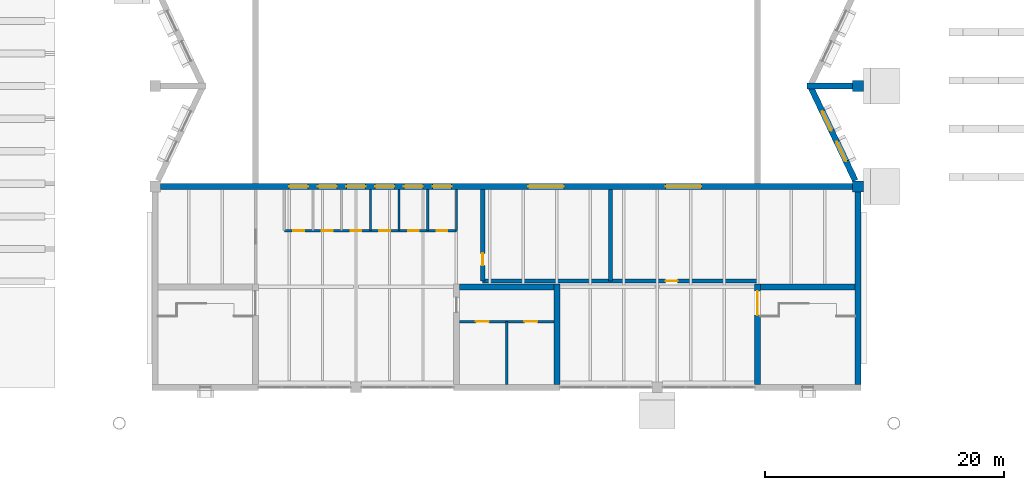
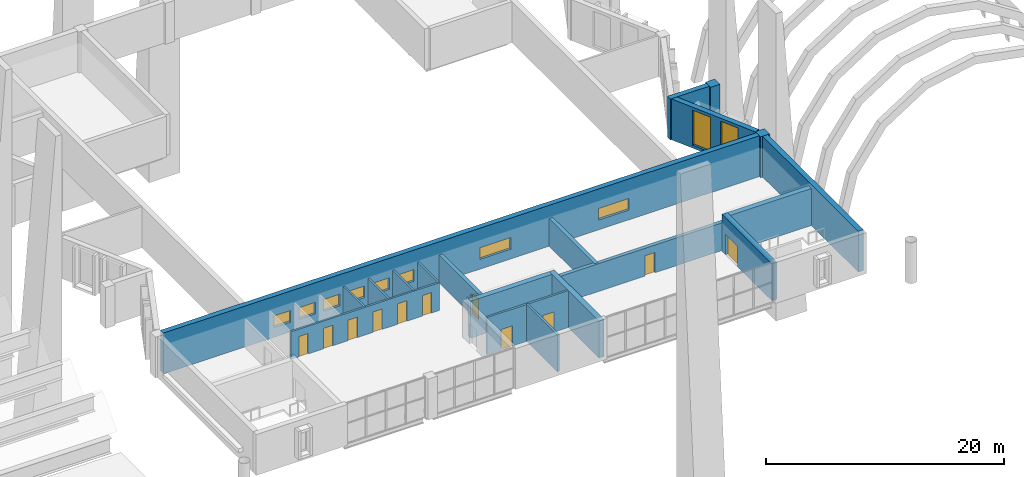
# One storey, part 63 of 88: 20 walls, 11 doors, 10 windows, 21 openings.
"""IFC4 building model written with IfcOpenShell, lengths in metres."""

from ifc_helpers import new_model, si_unit, direction, frame, frame_2d, origin, place, context, subcontext, project, spatial, rectangle, extrude, material, layer, layer_set, type_object, element, fill, save


model = new_model("IFC4")

# Units and contexts
model_context = context("Model", 3, precision=1e-05, world=origin(), true_north=direction((0.0, 1.0)))
body_context = subcontext(model_context, "Body", "Model", "MODEL_VIEW")
ifc_project = project(units=[si_unit("LENGTHUNIT", "METRE"), si_unit("AREAUNIT", "SQUARE_METRE"), si_unit("VOLUMEUNIT", "CUBIC_METRE"), si_unit("PLANEANGLEUNIT", "RADIAN"), si_unit("MASSUNIT", "GRAM", prefix="KILO")], contexts=[model_context])

# Site, building, storey
site_placement = place(None, origin())
site = spatial("IfcSite", under=ifc_project, at=site_placement, CompositionType="ELEMENT")
building_placement = place(site_placement, origin())
building = spatial("IfcBuilding", under=site, at=building_placement, Name="Cresset Court Congress Hotel", CompositionType="ELEMENT")
storey_placement = place(building_placement, frame((0.0, 0.0, 14.39990234375)))
storey = spatial("IfcBuildingStorey", under=building, at=storey_placement, Name="L03", CompositionType="ELEMENT", Elevation=14.39990234375)

# Wall, opening, door
ifc_material_1 = material(Name="Acoustic double-leaf plasterboard on steel studs", Category="steel")
ifc_layer_1 = layer(ifc_material_1, 0.35009765625)
ifc_layer_set_1 = layer_set([ifc_layer_1], Name="Hall acoustic wall 350")
wall_type_1 = type_object("IfcWallType", Name="Hall acoustic wall 350", PredefinedType="PARTITIONING", material=ifc_layer_set_1)
wall_1_placement = place(storey_placement, frame((86.199951171875, 67.699951171875, 0.0), z_axis=(0.0, 0.0, 1.0), x_axis=(0.0, 1.0, 0.0)))
wall_1 = element("IfcWall", 1, at=wall_1_placement, inside=storey, type_object=wall_type_1, Name="Wall CP-ctl.W", PredefinedType="PARTITIONING", context=body_context, shape_type="SweptSolid", body=[
    extrude(rectangle(XDim=7.650146484375, YDim=0.35009765625, at=frame_2d((3.8251953125, 0.0))), origin(), (0.0, 0.0, 1.0), 2.85009765625),
])
opening_1_placement = place(wall_1_placement, frame((1.300048828125, 0.0, 0.0)))
opening_1 = element("IfcOpeningElement", 2, at=opening_1_placement, cuts=wall_1, Name="Opening DC-03-17", PredefinedType="OPENING", context=body_context, shape_type="SweptSolid", body=[
    extrude(rectangle(XDim=1.0, YDim=2.10009765625, at=frame_2d((0.5, 1.050048828125))), frame((0.0, 0.18505859375, 0.0), z_axis=(0.0, -1.0, 0.0), x_axis=(1.0, 0.0, 0.0)), (0.0, 0.0, 1.0), 0.3701171875),
])
ifc_material_2 = material(Name="Timber", Category="wood")
door_type_1 = type_object("IfcDoorType", Name="Single swing door 1000x2100", OperationType="SINGLE_SWING_LEFT", PredefinedType="DOOR", material=ifc_material_2)
door_1_placement = place(opening_1_placement, origin())
door_1 = element("IfcDoor", 3, at=door_1_placement, inside=storey, type_object=door_type_1, Name="Control room door L03", OperationType="SINGLE_SWING_LEFT", OverallHeight=2.10009765625, OverallWidth=1.0, PredefinedType="DOOR", context=body_context, shape_type="SweptSolid", body=[
    extrude(rectangle(XDim=1.0, YDim=2.10009765625, at=frame_2d((0.5, 1.050048828125))), frame((0.0, 0.02490234375, 0.0), z_axis=(0.0, -1.0, 0.0), x_axis=(1.0, 0.0, 0.0)), (0.0, 0.0, 1.0), 0.050048828125),
])
fill(opening_1, door_1)

# Wall
wall_2_placement = place(storey_placement, frame((96.89990234375, 67.699951171875, 0.0), z_axis=(0.0, 0.0, 1.0), x_axis=(0.0, 1.0, 0.0)))
element("IfcWall", 4, at=wall_2_placement, inside=storey, type_object=wall_type_1, Name="Wall CP-ctl.mid", PredefinedType="PARTITIONING", context=body_context, shape_type="SweptSolid", body=[
    extrude(rectangle(XDim=7.650146484375, YDim=0.35009765625, at=frame_2d((3.8251953125, 0.0))), origin(), (0.0, 0.0, 1.0), 2.85009765625),
])

# Wall, opening, door
wall_3_placement = place(storey_placement, frame((86.199951171875, 67.699951171875, 0.0), z_axis=(0.0, 0.0, 1.0), x_axis=(1.0, 0.0, 0.0)))
wall_3 = element("IfcWall", 5, at=wall_3_placement, inside=storey, type_object=wall_type_1, Name="Wall CP-ctl.S", PredefinedType="PARTITIONING", context=body_context, shape_type="SweptSolid", body=[
    extrude(rectangle(XDim=23.0, YDim=0.35009765625, at=frame_2d((11.5, 0.0))), origin(), (0.0, 0.0, 1.0), 2.85009765625),
])
opening_2_placement = place(wall_3_placement, frame((15.300048828125, 0.0, 0.0)))
opening_2 = element("IfcOpeningElement", 6, at=opening_2_placement, cuts=wall_3, Name="Opening DC-03-18", PredefinedType="OPENING", context=body_context, shape_type="SweptSolid", body=[
    extrude(rectangle(XDim=1.0, YDim=2.10009765625, at=frame_2d((0.5, 1.050048828125))), frame((0.0, 0.18505859375, 0.0), z_axis=(0.0, -1.0, 0.0), x_axis=(1.0, 0.0, 0.0)), (0.0, 0.0, 1.0), 0.3701171875),
])
door_2_placement = place(opening_2_placement, origin())
door_2 = element("IfcDoor", 7, at=door_2_placement, inside=storey, type_object=door_type_1, Name="Press gallery door", OperationType="SINGLE_SWING_LEFT", OverallHeight=2.10009765625, OverallWidth=1.0, PredefinedType="DOOR", context=body_context, shape_type="SweptSolid", body=[
    extrude(rectangle(XDim=1.0, YDim=2.10009765625, at=frame_2d((0.5, 1.050048828125))), frame((0.0, 0.02490234375, 0.0), z_axis=(0.0, -1.0, 0.0), x_axis=(1.0, 0.0, 0.0)), (0.0, 0.0, 1.0), 0.050048828125),
])
fill(opening_2, door_2)

# Wall, openings, windows
ifc_material_3 = material(Name="Concrete C50", Category="concrete")
ifc_layer_2 = layer(ifc_material_3, 0.5)
ifc_layer_set_2 = layer_set([ifc_layer_2], Name="Hall inner wall 500")
wall_type_2 = type_object("IfcWallType", Name="Hall inner wall 500", PredefinedType="SOLIDWALL", material=ifc_layer_set_2)
wall_4_placement = place(storey_placement, frame((59.25, 75.60009765625, 0.0), z_axis=(0.0, 0.0, 1.0), x_axis=(1.0, 0.0, 0.0)))
wall_4 = element("IfcWall", 8, at=wall_4_placement, inside=storey, type_object=wall_type_2, Name="Wall CI-RL03", PredefinedType="SOLIDWALL", context=body_context, shape_type="SweptSolid", body=[
    extrude(rectangle(XDim=57.89990234375, YDim=0.5, at=frame_2d((28.949951171875, 0.0))), origin(), (0.0, 0.0, 1.0), 4.2001953125),
])
opening_3_placement = place(wall_4_placement, frame((10.75, 0.0, 1.0)))
opening_3 = element("IfcOpeningElement", 9, at=opening_3_placement, cuts=wall_4, Name="Opening NC-03-01", PredefinedType="OPENING", context=body_context, shape_type="SweptSolid", body=[
    extrude(rectangle(XDim=1.60009765625, YDim=1.199951171875, at=frame_2d((0.800048828125, 0.60009765625))), frame((0.0, 0.260009765625, 0.0), z_axis=(0.0, -1.0, 0.0), x_axis=(1.0, 0.0, 0.0)), (0.0, 0.0, 1.0), 0.52001953125),
])
opening_4_placement = place(wall_4_placement, frame((13.14990234375, 0.0, 1.0)))
opening_4 = element("IfcOpeningElement", 10, at=opening_4_placement, cuts=wall_4, Name="Opening NC-03-02", PredefinedType="OPENING", context=body_context, shape_type="SweptSolid", body=[
    extrude(rectangle(XDim=1.60009765625, YDim=1.199951171875, at=frame_2d((0.800048828125, 0.60009765625))), frame((0.0, 0.260009765625, 0.0), z_axis=(0.0, -1.0, 0.0), x_axis=(1.0, 0.0, 0.0)), (0.0, 0.0, 1.0), 0.52001953125),
])
opening_5_placement = place(wall_4_placement, frame((15.550048828125, 0.0, 1.0)))
opening_5 = element("IfcOpeningElement", 11, at=opening_5_placement, cuts=wall_4, Name="Opening NC-03-03", PredefinedType="OPENING", context=body_context, shape_type="SweptSolid", body=[
    extrude(rectangle(XDim=1.60009765625, YDim=1.199951171875, at=frame_2d((0.800048828125, 0.60009765625))), frame((0.0, 0.260009765625, 0.0), z_axis=(0.0, -1.0, 0.0), x_axis=(1.0, 0.0, 0.0)), (0.0, 0.0, 1.0), 0.52001953125),
])
opening_6_placement = place(wall_4_placement, frame((17.949951171875, 0.0, 1.0)))
opening_6 = element("IfcOpeningElement", 12, at=opening_6_placement, cuts=wall_4, Name="Opening NC-03-04", PredefinedType="OPENING", context=body_context, shape_type="SweptSolid", body=[
    extrude(rectangle(XDim=1.60009765625, YDim=1.199951171875, at=frame_2d((0.800048828125, 0.60009765625))), frame((0.0, 0.260009765625, 0.0), z_axis=(0.0, -1.0, 0.0), x_axis=(1.0, 0.0, 0.0)), (0.0, 0.0, 1.0), 0.52001953125),
])
opening_7_placement = place(wall_4_placement, frame((20.35009765625, 0.0, 1.0)))
opening_7 = element("IfcOpeningElement", 13, at=opening_7_placement, cuts=wall_4, Name="Opening NC-03-05", PredefinedType="OPENING", context=body_context, shape_type="SweptSolid", body=[
    extrude(rectangle(XDim=1.60009765625, YDim=1.199951171875, at=frame_2d((0.800048828125, 0.60009765625))), frame((0.0, 0.260009765625, 0.0), z_axis=(0.0, -1.0, 0.0), x_axis=(1.0, 0.0, 0.0)), (0.0, 0.0, 1.0), 0.52001953125),
])
opening_8_placement = place(wall_4_placement, frame((22.75, 0.0, 1.0)))
opening_8 = element("IfcOpeningElement", 14, at=opening_8_placement, cuts=wall_4, Name="Opening NC-03-06", PredefinedType="OPENING", context=body_context, shape_type="SweptSolid", body=[
    extrude(rectangle(XDim=1.60009765625, YDim=1.199951171875, at=frame_2d((0.800048828125, 0.60009765625))), frame((0.0, 0.260009765625, 0.0), z_axis=(0.0, -1.0, 0.0), x_axis=(1.0, 0.0, 0.0)), (0.0, 0.0, 1.0), 0.52001953125),
])
opening_9_placement = place(wall_4_placement, frame((30.75, 0.0, 1.0)))
opening_9 = element("IfcOpeningElement", 15, at=opening_9_placement, cuts=wall_4, Name="Opening NC-03-07", PredefinedType="OPENING", context=body_context, shape_type="SweptSolid", body=[
    extrude(rectangle(XDim=3.0, YDim=1.199951171875, at=frame_2d((1.5, 0.60009765625))), frame((0.0, 0.260009765625, 0.0), z_axis=(0.0, -1.0, 0.0), x_axis=(1.0, 0.0, 0.0)), (0.0, 0.0, 1.0), 0.52001953125),
])
opening_10_placement = place(wall_4_placement, frame((42.25, 0.0, 1.0)))
opening_10 = element("IfcOpeningElement", 16, at=opening_10_placement, cuts=wall_4, Name="Opening NC-03-08", PredefinedType="OPENING", context=body_context, shape_type="SweptSolid", body=[
    extrude(rectangle(XDim=3.0, YDim=1.199951171875, at=frame_2d((1.5, 0.60009765625))), frame((0.0, 0.260009765625, 0.0), z_axis=(0.0, -1.0, 0.0), x_axis=(1.0, 0.0, 0.0)), (0.0, 0.0, 1.0), 0.52001953125),
])
ifc_material_4 = material(Name="Aluminium and glass", Category="aluminium")
window_type_1 = type_object("IfcWindowType", Name="Fixed window 1600x1200", PartitioningType="SINGLE_PANEL", PredefinedType="WINDOW", material=ifc_material_4)
window_1_placement = place(opening_3_placement, origin())
window_1 = element("IfcWindow", 17, at=window_1_placement, inside=storey, type_object=window_type_1, Name="Window NC-03-01", OverallHeight=1.199951171875, OverallWidth=1.60009765625, PartitioningType="SINGLE_PANEL", PredefinedType="WINDOW", context=body_context, shape_type="SweptSolid", body=[
    extrude(rectangle(XDim=1.60009765625, YDim=1.199951171875, at=frame_2d((0.800048828125, 0.60009765625))), frame((0.0, 0.030029296875, 0.0), z_axis=(0.0, -1.0, 0.0), x_axis=(1.0, 0.0, 0.0)), (0.0, 0.0, 1.0), 0.06005859375),
])
fill(opening_3, window_1)
window_2_placement = place(opening_4_placement, origin())
window_2 = element("IfcWindow", 18, at=window_2_placement, inside=storey, type_object=window_type_1, Name="Window NC-03-02", OverallHeight=1.199951171875, OverallWidth=1.60009765625, PartitioningType="SINGLE_PANEL", PredefinedType="WINDOW", context=body_context, shape_type="SweptSolid", body=[
    extrude(rectangle(XDim=1.60009765625, YDim=1.199951171875, at=frame_2d((0.800048828125, 0.60009765625))), frame((0.0, 0.030029296875, 0.0), z_axis=(0.0, -1.0, 0.0), x_axis=(1.0, 0.0, 0.0)), (0.0, 0.0, 1.0), 0.06005859375),
])
fill(opening_4, window_2)
window_3_placement = place(opening_5_placement, origin())
window_3 = element("IfcWindow", 19, at=window_3_placement, inside=storey, type_object=window_type_1, Name="Window NC-03-03", OverallHeight=1.199951171875, OverallWidth=1.60009765625, PartitioningType="SINGLE_PANEL", PredefinedType="WINDOW", context=body_context, shape_type="SweptSolid", body=[
    extrude(rectangle(XDim=1.60009765625, YDim=1.199951171875, at=frame_2d((0.800048828125, 0.60009765625))), frame((0.0, 0.030029296875, 0.0), z_axis=(0.0, -1.0, 0.0), x_axis=(1.0, 0.0, 0.0)), (0.0, 0.0, 1.0), 0.06005859375),
])
fill(opening_5, window_3)
window_4_placement = place(opening_6_placement, origin())
window_4 = element("IfcWindow", 20, at=window_4_placement, inside=storey, type_object=window_type_1, Name="Window NC-03-04", OverallHeight=1.199951171875, OverallWidth=1.60009765625, PartitioningType="SINGLE_PANEL", PredefinedType="WINDOW", context=body_context, shape_type="SweptSolid", body=[
    extrude(rectangle(XDim=1.60009765625, YDim=1.199951171875, at=frame_2d((0.800048828125, 0.60009765625))), frame((0.0, 0.030029296875, 0.0), z_axis=(0.0, -1.0, 0.0), x_axis=(1.0, 0.0, 0.0)), (0.0, 0.0, 1.0), 0.06005859375),
])
fill(opening_6, window_4)
window_5_placement = place(opening_7_placement, origin())
window_5 = element("IfcWindow", 21, at=window_5_placement, inside=storey, type_object=window_type_1, Name="Window NC-03-05", OverallHeight=1.199951171875, OverallWidth=1.60009765625, PartitioningType="SINGLE_PANEL", PredefinedType="WINDOW", context=body_context, shape_type="SweptSolid", body=[
    extrude(rectangle(XDim=1.60009765625, YDim=1.199951171875, at=frame_2d((0.800048828125, 0.60009765625))), frame((0.0, 0.030029296875, 0.0), z_axis=(0.0, -1.0, 0.0), x_axis=(1.0, 0.0, 0.0)), (0.0, 0.0, 1.0), 0.06005859375),
])
fill(opening_7, window_5)
window_6_placement = place(opening_8_placement, origin())
window_6 = element("IfcWindow", 22, at=window_6_placement, inside=storey, type_object=window_type_1, Name="Window NC-03-06", OverallHeight=1.199951171875, OverallWidth=1.60009765625, PartitioningType="SINGLE_PANEL", PredefinedType="WINDOW", context=body_context, shape_type="SweptSolid", body=[
    extrude(rectangle(XDim=1.60009765625, YDim=1.199951171875, at=frame_2d((0.800048828125, 0.60009765625))), frame((0.0, 0.030029296875, 0.0), z_axis=(0.0, -1.0, 0.0), x_axis=(1.0, 0.0, 0.0)), (0.0, 0.0, 1.0), 0.06005859375),
])
fill(opening_8, window_6)
ifc_material_5 = material(Name="Aluminium and glass", Category="aluminium")
window_type_2 = type_object("IfcWindowType", Name="Fixed window 3000x1200", PartitioningType="SINGLE_PANEL", PredefinedType="WINDOW", material=ifc_material_5)
window_7_placement = place(opening_9_placement, origin())
window_7 = element("IfcWindow", 23, at=window_7_placement, inside=storey, type_object=window_type_2, Name="Window NC-03-07", OverallHeight=1.199951171875, OverallWidth=3.0, PartitioningType="SINGLE_PANEL", PredefinedType="WINDOW", context=body_context, shape_type="SweptSolid", body=[
    extrude(rectangle(XDim=3.0, YDim=1.199951171875, at=frame_2d((1.5, 0.60009765625))), frame((0.0, 0.030029296875, 0.0), z_axis=(0.0, -1.0, 0.0), x_axis=(1.0, 0.0, 0.0)), (0.0, 0.0, 1.0), 0.06005859375),
])
fill(opening_9, window_7)
window_8_placement = place(opening_10_placement, origin())
window_8 = element("IfcWindow", 24, at=window_8_placement, inside=storey, type_object=window_type_2, Name="Window NC-03-08", OverallHeight=1.199951171875, OverallWidth=3.0, PartitioningType="SINGLE_PANEL", PredefinedType="WINDOW", context=body_context, shape_type="SweptSolid", body=[
    extrude(rectangle(XDim=3.0, YDim=1.199951171875, at=frame_2d((1.5, 0.60009765625))), frame((0.0, 0.030029296875, 0.0), z_axis=(0.0, -1.0, 0.0), x_axis=(1.0, 0.0, 0.0)), (0.0, 0.0, 1.0), 0.06005859375),
])
fill(opening_10, window_8)

# Wall, opening, door
wall_5_placement = place(storey_placement, frame((109.199951171875, 59.050048828125, 0.0), z_axis=(0.0, 0.0, 1.0), x_axis=(0.0, 1.0, 0.0)))
wall_5 = element("IfcWall", 25, at=wall_5_placement, inside=storey, type_object=wall_type_2, Name="Wall CC-C2WL03", PredefinedType="SOLIDWALL", context=body_context, shape_type="SweptSolid", body=[
    extrude(rectangle(XDim=8.39990234375, YDim=0.5, at=frame_2d((4.199951171875, 0.0))), origin(), (0.0, 0.0, 1.0), 3.800048828125),
])
opening_11_placement = place(wall_5_placement, frame((5.800048828125, 0.0, 0.0)))
opening_11 = element("IfcOpeningElement", 26, at=opening_11_placement, cuts=wall_5, Name="Opening DC-03-02", PredefinedType="OPENING", context=body_context, shape_type="SweptSolid", body=[
    extrude(rectangle(XDim=2.0, YDim=2.10009765625, at=frame_2d((1.0, 1.050048828125))), frame((0.0, 0.260009765625, 0.0), z_axis=(0.0, -1.0, 0.0), x_axis=(1.0, 0.0, 0.0)), (0.0, 0.0, 1.0), 0.52001953125),
])
ifc_material_6 = material(Name="Timber", Category="wood")
door_type_2 = type_object("IfcDoorType", Name="Double swing door 2000x2100 FD60", OperationType="DOUBLE_DOOR_DOUBLE_SWING", PredefinedType="DOOR", material=ifc_material_6)
door_3_placement = place(opening_11_placement, origin())
door_3 = element("IfcDoor", 27, at=door_3_placement, inside=storey, type_object=door_type_2, Name="Stair door ST-C2 L03", OperationType="DOUBLE_DOOR_DOUBLE_SWING", OverallHeight=2.10009765625, OverallWidth=2.0, PredefinedType="DOOR", context=body_context, shape_type="SweptSolid", body=[
    extrude(rectangle(XDim=2.0, YDim=2.10009765625, at=frame_2d((1.0, 1.050048828125))), frame((0.0, 0.02490234375, 0.0), z_axis=(0.0, -1.0, 0.0), x_axis=(1.0, 0.0, 0.0)), (0.0, 0.0, 1.0), 0.050048828125),
])
fill(opening_11, door_3)

# Walls
wall_6_placement = place(storey_placement, frame((109.449951171875, 67.199951171875, 0.0), z_axis=(0.0, 0.0, 1.0), x_axis=(1.0, 0.0, 0.0)))
element("IfcWall", 28, at=wall_6_placement, inside=storey, type_object=wall_type_2, Name="Wall CC-C2NL03", PredefinedType="SOLIDWALL", context=body_context, shape_type="SweptSolid", body=[
    extrude(rectangle(XDim=7.900146484375, YDim=0.5, at=frame_2d((3.9501953125, 0.0))), origin(), (0.0, 0.0, 1.0), 3.800048828125),
])
wall_7_placement = place(storey_placement, frame((92.39990234375, 59.050048828125, 0.0), z_axis=(0.0, 0.0, 1.0), x_axis=(0.0, 1.0, 0.0)))
element("IfcWall", 29, at=wall_7_placement, inside=storey, type_object=wall_type_2, Name="Wall CC-C1EL03", PredefinedType="SOLIDWALL", context=body_context, shape_type="SweptSolid", body=[
    extrude(rectangle(XDim=8.39990234375, YDim=0.5, at=frame_2d((4.199951171875, 0.0))), origin(), (0.0, 0.0, 1.0), 3.800048828125),
])
wall_8_placement = place(storey_placement, frame((84.25, 67.199951171875, 0.0), z_axis=(0.0, 0.0, 1.0), x_axis=(1.0, 0.0, 0.0)))
element("IfcWall", 30, at=wall_8_placement, inside=storey, type_object=wall_type_2, Name="Wall CC-C1NL03", PredefinedType="SOLIDWALL", context=body_context, shape_type="SweptSolid", body=[
    extrude(rectangle(XDim=7.89990234375, YDim=0.5, at=frame_2d((3.949951171875, 0.0))), origin(), (0.0, 0.0, 1.0), 3.800048828125),
])
ifc_material_7 = material(Name="Limestone-faced precast concrete C50", Category="masonry")
ifc_layer_3 = layer(ifc_material_7, 0.5)
ifc_layer_set_3 = layer_set([ifc_layer_3], Name="Hall perimeter wall 500")
wall_type_3 = type_object("IfcWallType", Name="Hall perimeter wall 500", PredefinedType="SOLIDWALL", material=ifc_layer_set_3)
wall_9_placement = place(storey_placement, frame((117.60009765625, 75.14990234375, 0.0), z_axis=(0.0, 0.0, 1.0), x_axis=(0.0, -1.0, 0.0)))
element("IfcWall", 31, at=wall_9_placement, inside=storey, type_object=wall_type_3, Name="Wall CW-EL03-1", PredefinedType="SOLIDWALL", context=body_context, shape_type="SweptSolid", body=[
    extrude(rectangle(XDim=16.099853515625, YDim=0.5, at=frame_2d((8.0498046875, 0.0))), origin(), (0.0, 0.0, 1.0), 4.2001953125),
])

# Wall, openings, windows
wall_10_placement = place(storey_placement, frame((113.66552734375, 83.862548828125, 0.0), z_axis=(0.0, 0.0, 1.0), x_axis=(0.429922557701, -0.902865767642, 0.0)))
wall_10 = element("IfcWall", 32, at=wall_10_placement, inside=storey, type_object=wall_type_3, Name="Wall CW-EL03-2", PredefinedType="SOLIDWALL", context=body_context, shape_type="SweptSolid", body=[
    extrude(rectangle(XDim=8.59765625, YDim=0.5, at=frame_2d((4.298828125, 0.0))), origin(), (0.0, 0.0, 1.0), 4.2001953125),
])
opening_12_placement = place(wall_10_placement, frame((5.01171875, 0.0, 0.300048828125)))
opening_12 = element("IfcOpeningElement", 33, at=opening_12_placement, cuts=wall_10, Name="Opening NC-03-E0197", PredefinedType="OPENING", context=body_context, shape_type="SweptSolid", body=[
    extrude(rectangle(XDim=1.800048828125, YDim=3.60009765625, at=frame_2d((0.89990234375, 1.800048828125))), frame((0.0, 0.260009765625, 0.0), z_axis=(0.0, -1.0, 0.0), x_axis=(1.0, 0.0, 0.0)), (0.0, 0.0, 1.0), 0.52001953125),
])
opening_13_placement = place(wall_10_placement, frame((2.1875, 0.0, 0.300048828125)))
opening_13 = element("IfcOpeningElement", 34, at=opening_13_placement, cuts=wall_10, Name="Opening NC-03-E0222", PredefinedType="OPENING", context=body_context, shape_type="SweptSolid", body=[
    extrude(rectangle(XDim=1.800048828125, YDim=3.60009765625, at=frame_2d((0.89990234375, 1.800048828125))), frame((0.0, 0.260009765625, 0.0), z_axis=(0.0, -1.0, 0.0), x_axis=(1.0, 0.0, 0.0)), (0.0, 0.0, 1.0), 0.52001953125),
])
ifc_material_8 = material(Name="Aluminium and glass", Category="aluminium")
window_type_3 = type_object("IfcWindowType", Name="Fixed window 1800x3600", PartitioningType="SINGLE_PANEL", PredefinedType="WINDOW", material=ifc_material_8)
window_9_placement = place(opening_12_placement, origin())
window_9 = element("IfcWindow", 35, at=window_9_placement, inside=storey, type_object=window_type_3, Name="Window NC-03-E0197", OverallHeight=3.60009765625, OverallWidth=1.800048828125, PartitioningType="SINGLE_PANEL", PredefinedType="WINDOW", context=body_context, shape_type="SweptSolid", body=[
    extrude(rectangle(XDim=1.800048828125, YDim=3.60009765625, at=frame_2d((0.89990234375, 1.800048828125))), frame((0.0, 0.030029296875, 0.0), z_axis=(0.0, -1.0, 0.0), x_axis=(1.0, 0.0, 0.0)), (0.0, 0.0, 1.0), 0.06005859375),
])
fill(opening_12, window_9)
window_10_placement = place(opening_13_placement, origin())
window_10 = element("IfcWindow", 36, at=window_10_placement, inside=storey, type_object=window_type_3, Name="Window NC-03-E0222", OverallHeight=3.60009765625, OverallWidth=1.800048828125, PartitioningType="SINGLE_PANEL", PredefinedType="WINDOW", context=body_context, shape_type="SweptSolid", body=[
    extrude(rectangle(XDim=1.800048828125, YDim=3.60009765625, at=frame_2d((0.89990234375, 1.800048828125))), frame((0.0, 0.030029296875, 0.0), z_axis=(0.0, -1.0, 0.0), x_axis=(1.0, 0.0, 0.0)), (0.0, 0.0, 1.0), 0.06005859375),
])
fill(opening_13, window_10)

# Walls
wall_11_placement = place(storey_placement, frame((113.35009765625, 84.0, 0.0), z_axis=(0.0, 0.0, 1.0), x_axis=(1.0, 0.0, 0.0)))
element("IfcWall", 37, at=wall_11_placement, inside=storey, type_object=wall_type_3, Name="Wall CW-EL03-R1", PredefinedType="SOLIDWALL", context=body_context, shape_type="SweptSolid", body=[
    extrude(rectangle(XDim=3.7998046875, YDim=0.5, at=frame_2d((1.89990234375, 0.0))), origin(), (0.0, 0.0, 1.0), 4.2001953125),
])
ifc_material_9 = material(Name="Concrete C50", Category="concrete")
ifc_layer_4 = layer(ifc_material_9, 0.89990234375)
ifc_layer_set_4 = layer_set([ifc_layer_4], Name="Hall pilaster 900x900")
wall_type_4 = type_object("IfcWallType", Name="Hall pilaster 900x900", PredefinedType="SOLIDWALL", material=ifc_layer_set_4)
wall_12_placement = place(storey_placement, frame((117.60009765625, 75.14990234375, 0.0), z_axis=(0.0, 0.0, 1.0), x_axis=(0.0, 1.0, 0.0)))
element("IfcWall", 38, at=wall_12_placement, inside=storey, type_object=wall_type_4, Name="Pilaster P-E1", PredefinedType="SOLIDWALL", context=body_context, shape_type="SweptSolid", body=[
    extrude(rectangle(XDim=0.900146484375, YDim=0.89990234375, at=frame_2d((0.4501953125, 0.0))), origin(), (0.0, 0.0, 1.0), 4.2001953125),
])
wall_13_placement = place(storey_placement, frame((117.60009765625, 83.550048828125, 0.0), z_axis=(0.0, 0.0, 1.0), x_axis=(0.0, 1.0, 0.0)))
element("IfcWall", 39, at=wall_13_placement, inside=storey, type_object=wall_type_4, Name="Pilaster P-E2", PredefinedType="SOLIDWALL", context=body_context, shape_type="SweptSolid", body=[
    extrude(rectangle(XDim=0.89990234375, YDim=0.89990234375, at=frame_2d((0.449951171875, 0.0))), origin(), (0.0, 0.0, 1.0), 4.2001953125),
])
ifc_material_10 = material(Name="Acoustic double-leaf plasterboard on steel studs", Category="steel")
ifc_layer_5 = layer(ifc_material_10, 0.179931640625)
ifc_layer_set_5 = layer_set([ifc_layer_5], Name="Interpreter booth wall 180")
wall_type_5 = type_object("IfcWallType", Name="Interpreter booth wall 180", PredefinedType="PARTITIONING", material=ifc_layer_set_5)
for number, where, z_axis, x_axis, name in (
    (40, (76.800048828125, 71.89990234375, 0.0), (0.0, 0.0, 1.0), (0.0, 1.0, 0.0), "Wall CP-booth.3"),
    (41, (79.199951171875, 71.89990234375, 0.0), (0.0, 0.0, 1.0), (0.0, 1.0, 0.0), "Wall CP-booth.4"),
    (42, (81.60009765625, 71.89990234375, 0.0), (0.0, 0.0, 1.0), (0.0, 1.0, 0.0), "Wall CP-booth.5"),
    (43, (84.0, 71.89990234375, 0.0), (0.0, 0.0, 1.0), (0.0, 1.0, 0.0), "Wall CP-booth.6"),
):
    element("IfcWall", number, at=place(storey_placement, frame(where, z_axis=z_axis, x_axis=x_axis)), inside=storey, type_object=wall_type_5, Name=name, PredefinedType="PARTITIONING", context=body_context, shape_type="SweptSolid", body=[
        extrude(rectangle(XDim=3.4501953125, YDim=0.179931640625, at=frame_2d((1.72509765625, 0.0))), origin(), (0.0, 0.0, 1.0), 2.85009765625),
    ])

# Wall, openings, doors
wall_14_placement = place(storey_placement, frame((69.60009765625, 71.89990234375, 0.0), z_axis=(0.0, 0.0, 1.0), x_axis=(1.0, 0.0, 0.0)))
wall_14 = element("IfcWall", 44, at=wall_14_placement, inside=storey, type_object=wall_type_5, Name="Wall CP-booth.front", PredefinedType="PARTITIONING", context=body_context, shape_type="SweptSolid", body=[
    extrude(rectangle(XDim=14.39990234375, YDim=0.179931640625, at=frame_2d((7.199951171875, 0.0))), origin(), (0.0, 0.0, 1.0), 2.85009765625),
])
opening_14_placement = place(wall_14_placement, frame((0.75, 0.0, 0.0)))
opening_14 = element("IfcOpeningElement", 45, at=opening_14_placement, cuts=wall_14, Name="Opening DC-03-11", PredefinedType="OPENING", context=body_context, shape_type="SweptSolid", body=[
    extrude(rectangle(XDim=0.89990234375, YDim=2.10009765625, at=frame_2d((0.449951171875, 1.050048828125))), frame((0.0, 0.099853515625, 0.0), z_axis=(0.0, -1.0, 0.0), x_axis=(1.0, 0.0, 0.0)), (0.0, 0.0, 1.0), 0.199951171875),
])
opening_15_placement = place(wall_14_placement, frame((3.14990234375, 0.0, 0.0)))
opening_15 = element("IfcOpeningElement", 46, at=opening_15_placement, cuts=wall_14, Name="Opening DC-03-12", PredefinedType="OPENING", context=body_context, shape_type="SweptSolid", body=[
    extrude(rectangle(XDim=0.89990234375, YDim=2.10009765625, at=frame_2d((0.449951171875, 1.050048828125))), frame((0.0, 0.099853515625, 0.0), z_axis=(0.0, -1.0, 0.0), x_axis=(1.0, 0.0, 0.0)), (0.0, 0.0, 1.0), 0.199951171875),
])
opening_16_placement = place(wall_14_placement, frame((5.550048828125, 0.0, 0.0)))
opening_16 = element("IfcOpeningElement", 47, at=opening_16_placement, cuts=wall_14, Name="Opening DC-03-13", PredefinedType="OPENING", context=body_context, shape_type="SweptSolid", body=[
    extrude(rectangle(XDim=0.89990234375, YDim=2.10009765625, at=frame_2d((0.449951171875, 1.050048828125))), frame((0.0, 0.099853515625, 0.0), z_axis=(0.0, -1.0, 0.0), x_axis=(1.0, 0.0, 0.0)), (0.0, 0.0, 1.0), 0.199951171875),
])
opening_17_placement = place(wall_14_placement, frame((7.949951171875, 0.0, 0.0)))
opening_17 = element("IfcOpeningElement", 48, at=opening_17_placement, cuts=wall_14, Name="Opening DC-03-14", PredefinedType="OPENING", context=body_context, shape_type="SweptSolid", body=[
    extrude(rectangle(XDim=0.89990234375, YDim=2.10009765625, at=frame_2d((0.449951171875, 1.050048828125))), frame((0.0, 0.099853515625, 0.0), z_axis=(0.0, -1.0, 0.0), x_axis=(1.0, 0.0, 0.0)), (0.0, 0.0, 1.0), 0.199951171875),
])
opening_18_placement = place(wall_14_placement, frame((10.35009765625, 0.0, 0.0)))
opening_18 = element("IfcOpeningElement", 49, at=opening_18_placement, cuts=wall_14, Name="Opening DC-03-15", PredefinedType="OPENING", context=body_context, shape_type="SweptSolid", body=[
    extrude(rectangle(XDim=0.89990234375, YDim=2.10009765625, at=frame_2d((0.449951171875, 1.050048828125))), frame((0.0, 0.099853515625, 0.0), z_axis=(0.0, -1.0, 0.0), x_axis=(1.0, 0.0, 0.0)), (0.0, 0.0, 1.0), 0.199951171875),
])
opening_19_placement = place(wall_14_placement, frame((12.75, 0.0, 0.0)))
opening_19 = element("IfcOpeningElement", 50, at=opening_19_placement, cuts=wall_14, Name="Opening DC-03-16", PredefinedType="OPENING", context=body_context, shape_type="SweptSolid", body=[
    extrude(rectangle(XDim=0.89990234375, YDim=2.10009765625, at=frame_2d((0.449951171875, 1.050048828125))), frame((0.0, 0.099853515625, 0.0), z_axis=(0.0, -1.0, 0.0), x_axis=(1.0, 0.0, 0.0)), (0.0, 0.0, 1.0), 0.199951171875),
])
ifc_material_11 = material(Name="Timber", Category="wood")
door_type_3 = type_object("IfcDoorType", Name="Single swing door 900x2100", OperationType="SINGLE_SWING_LEFT", PredefinedType="DOOR", material=ifc_material_11)
door_4_placement = place(opening_14_placement, origin())
door_4 = element("IfcDoor", 51, at=door_4_placement, inside=storey, type_object=door_type_3, Name="Interpreter booth door 1", OperationType="SINGLE_SWING_LEFT", OverallHeight=2.10009765625, OverallWidth=0.89990234375, PredefinedType="DOOR", context=body_context, shape_type="SweptSolid", body=[
    extrude(rectangle(XDim=0.89990234375, YDim=2.10009765625, at=frame_2d((0.449951171875, 1.050048828125))), frame((0.0, 0.02490234375, 0.0), z_axis=(0.0, -1.0, 0.0), x_axis=(1.0, 0.0, 0.0)), (0.0, 0.0, 1.0), 0.050048828125),
])
fill(opening_14, door_4)
door_5_placement = place(opening_15_placement, origin())
door_5 = element("IfcDoor", 52, at=door_5_placement, inside=storey, type_object=door_type_3, Name="Interpreter booth door 2", OperationType="SINGLE_SWING_LEFT", OverallHeight=2.10009765625, OverallWidth=0.89990234375, PredefinedType="DOOR", context=body_context, shape_type="SweptSolid", body=[
    extrude(rectangle(XDim=0.89990234375, YDim=2.10009765625, at=frame_2d((0.449951171875, 1.050048828125))), frame((0.0, 0.02490234375, 0.0), z_axis=(0.0, -1.0, 0.0), x_axis=(1.0, 0.0, 0.0)), (0.0, 0.0, 1.0), 0.050048828125),
])
fill(opening_15, door_5)
door_6_placement = place(opening_16_placement, origin())
door_6 = element("IfcDoor", 53, at=door_6_placement, inside=storey, type_object=door_type_3, Name="Interpreter booth door 3", OperationType="SINGLE_SWING_LEFT", OverallHeight=2.10009765625, OverallWidth=0.89990234375, PredefinedType="DOOR", context=body_context, shape_type="SweptSolid", body=[
    extrude(rectangle(XDim=0.89990234375, YDim=2.10009765625, at=frame_2d((0.449951171875, 1.050048828125))), frame((0.0, 0.02490234375, 0.0), z_axis=(0.0, -1.0, 0.0), x_axis=(1.0, 0.0, 0.0)), (0.0, 0.0, 1.0), 0.050048828125),
])
fill(opening_16, door_6)
door_7_placement = place(opening_17_placement, origin())
door_7 = element("IfcDoor", 54, at=door_7_placement, inside=storey, type_object=door_type_3, Name="Interpreter booth door 4", OperationType="SINGLE_SWING_LEFT", OverallHeight=2.10009765625, OverallWidth=0.89990234375, PredefinedType="DOOR", context=body_context, shape_type="SweptSolid", body=[
    extrude(rectangle(XDim=0.89990234375, YDim=2.10009765625, at=frame_2d((0.449951171875, 1.050048828125))), frame((0.0, 0.02490234375, 0.0), z_axis=(0.0, -1.0, 0.0), x_axis=(1.0, 0.0, 0.0)), (0.0, 0.0, 1.0), 0.050048828125),
])
fill(opening_17, door_7)
door_8_placement = place(opening_18_placement, origin())
door_8 = element("IfcDoor", 55, at=door_8_placement, inside=storey, type_object=door_type_3, Name="Interpreter booth door 5", OperationType="SINGLE_SWING_LEFT", OverallHeight=2.10009765625, OverallWidth=0.89990234375, PredefinedType="DOOR", context=body_context, shape_type="SweptSolid", body=[
    extrude(rectangle(XDim=0.89990234375, YDim=2.10009765625, at=frame_2d((0.449951171875, 1.050048828125))), frame((0.0, 0.02490234375, 0.0), z_axis=(0.0, -1.0, 0.0), x_axis=(1.0, 0.0, 0.0)), (0.0, 0.0, 1.0), 0.050048828125),
])
fill(opening_18, door_8)
door_9_placement = place(opening_19_placement, origin())
door_9 = element("IfcDoor", 56, at=door_9_placement, inside=storey, type_object=door_type_3, Name="Interpreter booth door 6", OperationType="SINGLE_SWING_LEFT", OverallHeight=2.10009765625, OverallWidth=0.89990234375, PredefinedType="DOOR", context=body_context, shape_type="SweptSolid", body=[
    extrude(rectangle(XDim=0.89990234375, YDim=2.10009765625, at=frame_2d((0.449951171875, 1.050048828125))), frame((0.0, 0.02490234375, 0.0), z_axis=(0.0, -1.0, 0.0), x_axis=(1.0, 0.0, 0.0)), (0.0, 0.0, 1.0), 0.050048828125),
])
fill(opening_19, door_9)

# Wall
ifc_material_12 = material(Name="Concrete C35", Category="concrete")
ifc_layer_6 = layer(ifc_material_12, 0.199951171875)
ifc_layer_set_6 = layer_set([ifc_layer_6], Name="Lift shaft partition 200")
wall_type_6 = type_object("IfcWallType", Name="Lift shaft partition 200", PredefinedType="PARTITIONING", material=ifc_layer_set_6)
wall_15_placement = place(storey_placement, frame((88.199951171875, 59.050048828125, 0.0), z_axis=(0.0, 0.0, 1.0), x_axis=(0.0, 1.0, 0.0)))
element("IfcWall", 57, at=wall_15_placement, inside=storey, type_object=wall_type_6, Name="Wall CL-DL03", PredefinedType="PARTITIONING", context=body_context, shape_type="SweptSolid", body=[
    extrude(rectangle(XDim=5.25, YDim=0.199951171875, at=frame_2d((2.625, 0.0))), origin(), (0.0, 0.0, 1.0), 3.800048828125),
])

# Wall, openings, doors
wall_16_placement = place(storey_placement, frame((84.25, 64.300048828125, 0.0), z_axis=(0.0, 0.0, 1.0), x_axis=(1.0, 0.0, 0.0)))
wall_16 = element("IfcWall", 58, at=wall_16_placement, inside=storey, type_object=wall_type_6, Name="Wall CL-LL03", PredefinedType="PARTITIONING", context=body_context, shape_type="SweptSolid", body=[
    extrude(rectangle(XDim=7.89990234375, YDim=0.199951171875, at=frame_2d((3.949951171875, 0.0))), origin(), (0.0, 0.0, 1.0), 3.800048828125),
])
opening_20_placement = place(wall_16_placement, frame((1.375, 0.0, 0.0)))
opening_20 = element("IfcOpeningElement", 59, at=opening_20_placement, cuts=wall_16, Name="Opening LD-C1-04", PredefinedType="OPENING", context=body_context, shape_type="SweptSolid", body=[
    extrude(rectangle(XDim=1.10009765625, YDim=2.10009765625, at=frame_2d((0.550048828125, 1.050048828125))), frame((0.0, 0.10986328125, 0.0), z_axis=(0.0, -1.0, 0.0), x_axis=(1.0, 0.0, 0.0)), (0.0, 0.0, 1.0), 0.219970703125),
])
opening_21_placement = place(wall_16_placement, frame((5.425048828125, 0.0, 0.0)))
opening_21 = element("IfcOpeningElement", 60, at=opening_21_placement, cuts=wall_16, Name="Opening LD-C2-04", PredefinedType="OPENING", context=body_context, shape_type="SweptSolid", body=[
    extrude(rectangle(XDim=1.10009765625, YDim=2.10009765625, at=frame_2d((0.550048828125, 1.050048828125))), frame((0.0, 0.10986328125, 0.0), z_axis=(0.0, -1.0, 0.0), x_axis=(1.0, 0.0, 0.0)), (0.0, 0.0, 1.0), 0.219970703125),
])
ifc_material_13 = material(Name="Stainless steel", Category="steel")
door_type_4 = type_object("IfcDoorType", Name="Single sliding landing door 1100x2100 E 60", OperationType="SLIDING_TO_LEFT", PredefinedType="DOOR", material=ifc_material_13)
door_10_placement = place(opening_20_placement, origin())
door_10 = element("IfcDoor", 61, at=door_10_placement, inside=storey, type_object=door_type_4, Name="Landing door LD-C1 L03", OperationType="SLIDING_TO_LEFT", OverallHeight=2.10009765625, OverallWidth=1.10009765625, PredefinedType="DOOR", context=body_context, shape_type="SweptSolid", body=[
    extrude(rectangle(XDim=1.10009765625, YDim=2.10009765625, at=frame_2d((0.550048828125, 1.050048828125))), frame((0.0, 0.02490234375, 0.0), z_axis=(0.0, -1.0, 0.0), x_axis=(1.0, 0.0, 0.0)), (0.0, 0.0, 1.0), 0.050048828125),
])
fill(opening_20, door_10)
door_11_placement = place(opening_21_placement, origin())
door_11 = element("IfcDoor", 62, at=door_11_placement, inside=storey, type_object=door_type_4, Name="Landing door LD-C2 L03", OperationType="SLIDING_TO_LEFT", OverallHeight=2.10009765625, OverallWidth=1.10009765625, PredefinedType="DOOR", context=body_context, shape_type="SweptSolid", body=[
    extrude(rectangle(XDim=1.10009765625, YDim=2.10009765625, at=frame_2d((0.550048828125, 1.050048828125))), frame((0.0, 0.02490234375, 0.0), z_axis=(0.0, -1.0, 0.0), x_axis=(1.0, 0.0, 0.0)), (0.0, 0.0, 1.0), 0.050048828125),
])
fill(opening_21, door_11)

save(model, "model.ifc")
